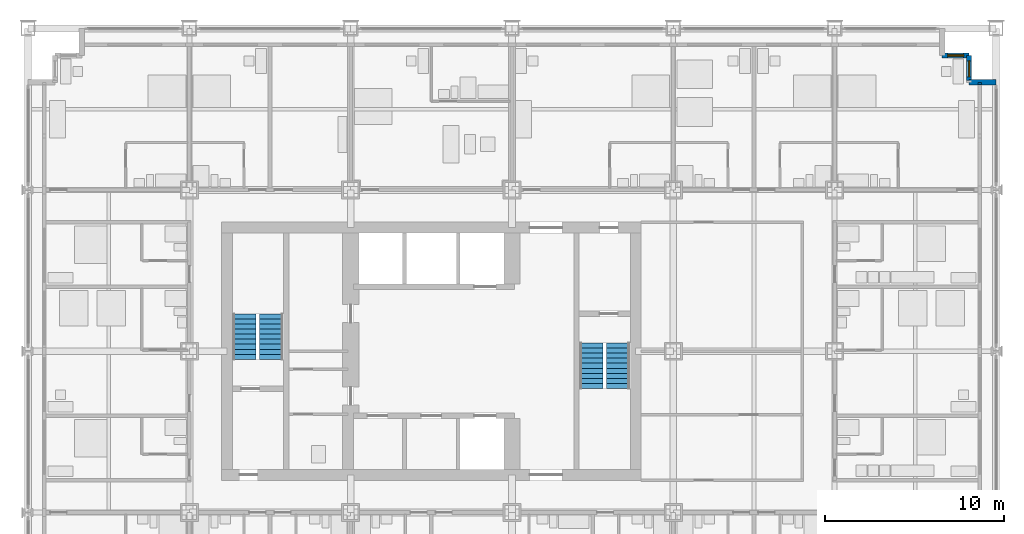
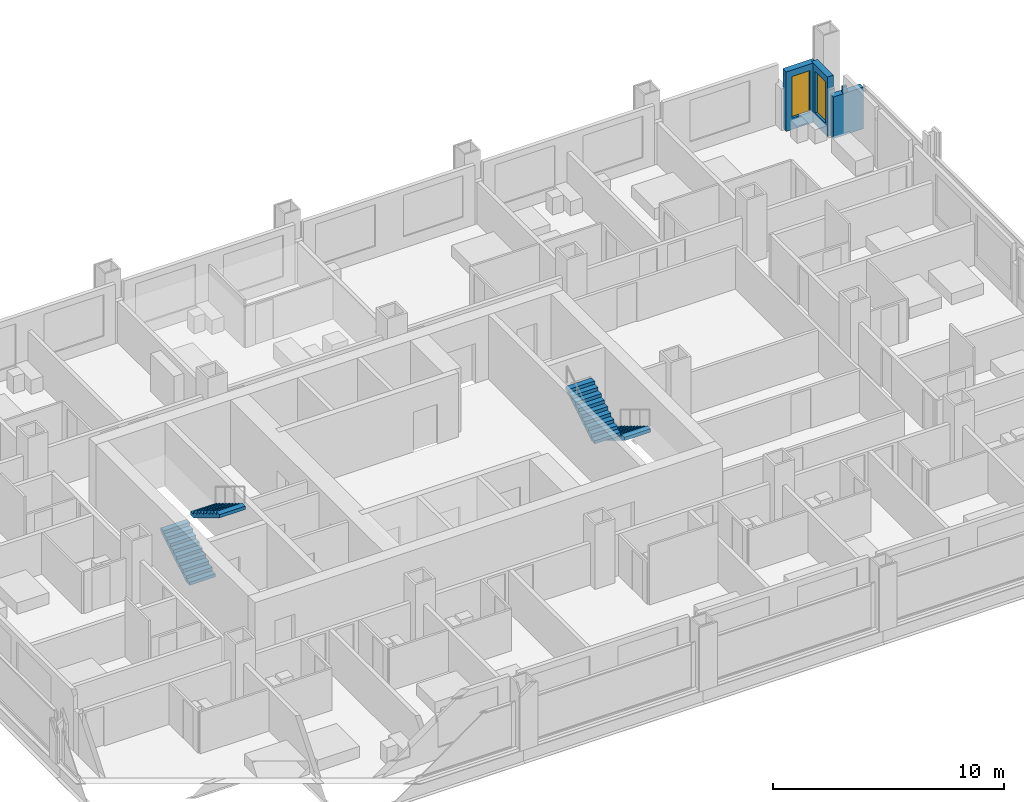
# One storey, part 16 of 19: 4 stair flights, 4 walls, 2 windows, 2 openings, 2 elements without a shape of their own.
"""IFC4 building model written with IfcOpenShell, lengths in metres."""

from ifc_helpers import new_model, si_unit, direction, frame, frame_2d, origin, place, context, subcontext, project, spatial, polyline, rectangle, outline, extrude, material, layer, layer_set, type_object, element, fill, aggregate, save


model = new_model("IFC4")

# Units and contexts
model_context = context("Model", 3, precision=1e-05, world=origin(), true_north=direction((0.0, 1.0)))
body_context = subcontext(model_context, "Body", "Model", "MODEL_VIEW")
ifc_project = project(units=[si_unit("LENGTHUNIT", "METRE"), si_unit("AREAUNIT", "SQUARE_METRE"), si_unit("VOLUMEUNIT", "CUBIC_METRE"), si_unit("PLANEANGLEUNIT", "RADIAN"), si_unit("MASSUNIT", "GRAM", prefix="KILO")], contexts=[model_context])

# Site, building, storey
site_placement = place(None, origin())
site = spatial("IfcSite", under=ifc_project, at=site_placement, CompositionType="ELEMENT")
building_placement = place(site_placement, origin())
building = spatial("IfcBuilding", under=site, at=building_placement, Name="Loomwork Tower", CompositionType="ELEMENT")
storey_placement = place(building_placement, frame((0.0, 0.0, 85.800048828125)))
storey = spatial("IfcBuildingStorey", under=building, at=storey_placement, Name="L22", CompositionType="ELEMENT", Elevation=85.800048828125)

# Walls
ifc_material_1 = material(Name="Insulated steel stud wall with gypsum lining", Category="steel")
ifc_layer_1 = layer(ifc_material_1, 0.199951171875)
ifc_layer_set_1 = layer_set([ifc_layer_1], Name="Inner skin wall 200")
wall_type_1 = type_object("IfcWallType", Name="Inner skin wall 200", PredefinedType="SOLIDWALL", material=ifc_layer_set_1)
wall_1_placement = place(storey_placement, frame((53.10009765625, 32.8837890625, 0.0), z_axis=(0.0, 0.0, 1.0), x_axis=(0.0, 1.0, 0.0)))
element("IfcWall", 1, at=wall_1_placement, inside=storey, type_object=wall_type_1, Name="Inner skin wall E bay 13", PredefinedType="SOLIDWALL", context=body_context, shape_type="SweptSolid", body=[
    extrude(rectangle(XDim=0.1162109375, YDim=0.199951171875, at=frame_2d((0.05810546875, 0.0))), origin(), (0.0, 0.0, 1.0), 2.5419921875),
])
ifc_material_2 = material(Name="Limestone on concrete masonry", Category="masonry")
ifc_layer_2 = layer(ifc_material_2, 0.300048828125)
ifc_layer_set_2 = layer_set([ifc_layer_2], Name="Limestone corner wall 300")
wall_type_2 = type_object("IfcWallType", Name="Limestone corner wall 300", PredefinedType="SOLIDWALL", material=ifc_layer_set_2)
wall_2_placement = place(storey_placement, frame((54.0, 33.0, 0.0), z_axis=(0.0, 0.0, 1.0), x_axis=(-1.0, 0.0, 0.0)))
element("IfcWall", 2, at=wall_2_placement, inside=storey, type_object=wall_type_2, Name="Stone corner wall NE 1", PredefinedType="SOLIDWALL", context=body_context, shape_type="SweptSolid", body=[
    extrude(rectangle(XDim=1.5, YDim=0.300048828125, at=frame_2d((0.75, 0.0))), origin(), (0.0, 0.0, 1.0), 2.201904296875),
])

# Wall, opening, window
wall_3_placement = place(storey_placement, frame((52.5, 34.5, 0.0), z_axis=(0.0, 0.0, 1.0), x_axis=(-1.0, 0.0, 0.0)))
wall_3 = element("IfcWall", 3, at=wall_3_placement, inside=storey, type_object=wall_type_2, Name="Stone corner wall NE 3", PredefinedType="SOLIDWALL", context=body_context, shape_type="SweptSolid", body=[
    extrude(rectangle(XDim=1.5, YDim=0.300048828125, at=frame_2d((0.75, 0.0))), origin(), (0.0, 0.0, 1.0), 3.14990234375),
])
opening_1_placement = place(wall_3_placement, frame((0.300048828125, 0.0, 0.60009765625)))
opening_1 = element("IfcOpeningElement", 4, at=opening_1_placement, cuts=wall_3, Name="Opening CH2", PredefinedType="OPENING", context=body_context, shape_type="SweptSolid", body=[
    extrude(rectangle(XDim=0.89990234375, YDim=2.199951171875, at=frame_2d((0.449951171875, 1.10009765625))), frame((0.0, 0.159912109375, 0.0), z_axis=(0.0, -1.0, 0.0), x_axis=(1.0, 0.0, 0.0)), (0.0, 0.0, 1.0), 0.320068359375),
])
ifc_material_3 = material(Name="Aluminium frame with clear insulated glass", Category="aluminium")
window_type = type_object("IfcWindowType", Name="Corner window 900", PartitioningType="SINGLE_PANEL", PredefinedType="WINDOW", material=ifc_material_3)
window_1_placement = place(opening_1_placement, origin())
window_1 = element("IfcWindow", 5, at=window_1_placement, inside=storey, type_object=window_type, Name="Corner window NE", OverallHeight=2.199951171875, OverallWidth=0.89990234375, PartitioningType="SINGLE_PANEL", PredefinedType="WINDOW", context=body_context, shape_type="SweptSolid", body=[
    extrude(rectangle(XDim=0.89990234375, YDim=2.199951171875, at=frame_2d((0.449951171875, 1.10009765625))), frame((0.0, 0.030029296875, 0.0), z_axis=(0.0, -1.0, 0.0), x_axis=(1.0, 0.0, 0.0)), (0.0, 0.0, 1.0), 0.06005859375),
])
fill(opening_1, window_1)

wall_4_placement = place(storey_placement, frame((52.5, 33.1162109375, 0.0), z_axis=(0.0, 0.0, 1.0), x_axis=(0.0, 1.0, 0.0)))
wall_4 = element("IfcWall", 6, at=wall_4_placement, inside=storey, type_object=wall_type_2, Name="Stone corner wall NE 2 bay 2", PredefinedType="SOLIDWALL", context=body_context, shape_type="SweptSolid", body=[
    extrude(rectangle(XDim=1.3837890625, YDim=0.300048828125, at=frame_2d((0.69189453125, 0.0))), origin(), (0.0, 0.0, 1.0), 3.14990234375),
])
opening_2_placement = place(wall_4_placement, frame((0.183837890625, 0.0, 0.60009765625)))
opening_2 = element("IfcOpeningElement", 7, at=opening_2_placement, cuts=wall_4, Name="Opening CH2", PredefinedType="OPENING", context=body_context, shape_type="SweptSolid", body=[
    extrude(rectangle(XDim=0.89990234375, YDim=2.199951171875, at=frame_2d((0.449951171875, 1.10009765625))), frame((0.0, 0.159912109375, 0.0), z_axis=(0.0, -1.0, 0.0), x_axis=(1.0, 0.0, 0.0)), (0.0, 0.0, 1.0), 0.320068359375),
])
window_2_placement = place(opening_2_placement, origin())
window_2 = element("IfcWindow", 8, at=window_2_placement, inside=storey, type_object=window_type, Name="Corner window NE", OverallHeight=2.199951171875, OverallWidth=0.89990234375, PartitioningType="SINGLE_PANEL", PredefinedType="WINDOW", context=body_context, shape_type="SweptSolid", body=[
    extrude(rectangle(XDim=0.89990234375, YDim=2.199951171875, at=frame_2d((0.449951171875, 1.10009765625))), frame((0.0, 0.030029296875, 0.0), z_axis=(0.0, -1.0, 0.0), x_axis=(1.0, 0.0, 0.0)), (0.0, 0.0, 1.0), 0.06005859375),
])
fill(opening_2, window_2)

# Stair, stair flights
ifc_material_4 = material(Name="Concrete 5000 psi (34 MPa) precast stair", Category="concrete")
stair_type_1 = type_object("IfcStairType", Name="Stair ST-A 20 risers 2850 wide", PredefinedType="HALF_TURN_STAIR", material=ifc_material_4)
stair_1_placement = place(storey_placement, origin())
stair_1 = element("IfcStair", 9, at=stair_1_placement, inside=storey, type_object=stair_type_1, Name="Stair A L22", PredefinedType="HALF_TURN_STAIR")
ifc_material_5 = material(Name="Concrete 5000 psi (34 MPa) precast stair", Category="concrete")
stair_flight_type_1 = type_object("IfcStairFlightType", Name="Stair flight ST-A 10 risers 1300 wide", PredefinedType="STRAIGHT", material=ifc_material_5)
stair_flight_1_placement = place(storey_placement, frame((12.074951171875, 17.550048828125, 0.0), z_axis=(0.0, 0.0, 1.0), x_axis=(0.0, 1.0, 0.0)))
stair_flight_1 = element("IfcStairFlight", 10, at=stair_flight_1_placement, type_object=stair_flight_type_1, Name="ST-A flight 1", NumberOfRisers=10, NumberOfTreads=9, PredefinedType="STRAIGHT", RiserHeight=0.17, TreadLength=0.28, context=body_context, shape_type="SweptSolid", body=[
    extrude(outline(polyline([(0.0, 0.0), (0.0, 0.169921875), (0.280029296875, 0.169921875), (0.280029296875, 0.340087890625), (0.56005859375, 0.340087890625), (0.56005859375, 0.510009765625), (0.840087890625, 0.510009765625), (0.840087890625, 0.679931640625), (1.1201171875, 0.679931640625), (1.1201171875, 0.85009765625), (1.39990234375, 0.85009765625), (1.39990234375, 1.02001953125), (1.679931640625, 1.02001953125), (1.679931640625, 1.18994140625), (1.9599609375, 1.18994140625), (1.9599609375, 1.360107421875), (2.239990234375, 1.360107421875), (2.239990234375, 1.530029296875), (2.52001953125, 1.530029296875), (2.52001953125, 1.699951171875), (2.52001953125, 1.354736328125), (0.288818359375, 0.0), (0.0, 0.0)])), frame((0.0, 0.64990234375, 0.0), z_axis=(0.0, -1.0, 0.0), x_axis=(1.0, 0.0, 0.0)), (0.0, 0.0, 1.0), 1.300048828125),
])
stair_flight_2_placement = place(storey_placement, frame((13.574951171875, 20.070068359375, 1.699951171875), z_axis=(0.0, 0.0, 1.0), x_axis=(0.0, -1.0, 0.0)))
stair_flight_2 = element("IfcStairFlight", 11, at=stair_flight_2_placement, type_object=stair_flight_type_1, Name="ST-A flight 2", NumberOfRisers=10, NumberOfTreads=9, PredefinedType="STRAIGHT", RiserHeight=0.17, TreadLength=0.28, context=body_context, shape_type="SweptSolid", body=[
    extrude(outline(polyline([(0.0, 0.0), (0.0, 0.169921875), (0.280029296875, 0.169921875), (0.280029296875, 0.340087890625), (0.56005859375, 0.340087890625), (0.56005859375, 0.510009765625), (0.840087890625, 0.510009765625), (0.840087890625, 0.679931640625), (1.1201171875, 0.679931640625), (1.1201171875, 0.85009765625), (1.39990234375, 0.85009765625), (1.39990234375, 1.02001953125), (1.679931640625, 1.02001953125), (1.679931640625, 1.18994140625), (1.9599609375, 1.18994140625), (1.9599609375, 1.360107421875), (2.239990234375, 1.360107421875), (2.239990234375, 1.530029296875), (2.52001953125, 1.530029296875), (2.52001953125, 1.699951171875), (2.52001953125, 1.354736328125), (0.288818359375, 0.0), (0.0, 0.0)])), frame((0.0, 0.64990234375, 0.0), z_axis=(0.0, -1.0, 0.0), x_axis=(1.0, 0.0, 0.0)), (0.0, 0.0, 1.0), 1.300048828125),
])
aggregate(stair_1, [stair_flight_1, stair_flight_2])

ifc_material_6 = material(Name="Concrete 5000 psi (34 MPa) precast stair", Category="concrete")
stair_type_2 = type_object("IfcStairType", Name="Stair ST-B 20 risers 2850 wide", PredefinedType="HALF_TURN_STAIR", material=ifc_material_6)
stair_2_placement = place(storey_placement, origin())
stair_2 = element("IfcStair", 12, at=stair_2_placement, inside=storey, type_object=stair_type_2, Name="Stair B L22", PredefinedType="HALF_TURN_STAIR")
ifc_material_7 = material(Name="Concrete 5000 psi (34 MPa) precast stair", Category="concrete")
stair_flight_type_2 = type_object("IfcStairFlightType", Name="Stair flight ST-B 10 risers 1300 wide", PredefinedType="STRAIGHT", material=ifc_material_7)
stair_flight_3_placement = place(storey_placement, frame((32.925048828125, 18.449951171875, 0.0), z_axis=(0.0, 0.0, 1.0), x_axis=(0.0, -1.0, 0.0)))
stair_flight_3 = element("IfcStairFlight", 13, at=stair_flight_3_placement, type_object=stair_flight_type_2, Name="ST-B flight 1", NumberOfRisers=10, NumberOfTreads=9, PredefinedType="STRAIGHT", RiserHeight=0.17, TreadLength=0.28, context=body_context, shape_type="SweptSolid", body=[
    extrude(outline(polyline([(0.0, 0.0), (0.0, 0.169921875), (0.280029296875, 0.169921875), (0.280029296875, 0.340087890625), (0.56005859375, 0.340087890625), (0.56005859375, 0.510009765625), (0.840087890625, 0.510009765625), (0.840087890625, 0.679931640625), (1.1201171875, 0.679931640625), (1.1201171875, 0.85009765625), (1.39990234375, 0.85009765625), (1.39990234375, 1.02001953125), (1.679931640625, 1.02001953125), (1.679931640625, 1.18994140625), (1.9599609375, 1.18994140625), (1.9599609375, 1.360107421875), (2.239990234375, 1.360107421875), (2.239990234375, 1.530029296875), (2.52001953125, 1.530029296875), (2.52001953125, 1.699951171875), (2.52001953125, 1.354736328125), (0.288818359375, 0.0), (0.0, 0.0)])), frame((0.0, 0.64990234375, 0.0), z_axis=(0.0, -1.0, 0.0), x_axis=(1.0, 0.0, 0.0)), (0.0, 0.0, 1.0), 1.300048828125),
])
stair_flight_4_placement = place(storey_placement, frame((31.425048828125, 15.929931640625, 1.699951171875), z_axis=(0.0, 0.0, 1.0), x_axis=(0.0, 1.0, 0.0)))
stair_flight_4 = element("IfcStairFlight", 14, at=stair_flight_4_placement, type_object=stair_flight_type_2, Name="ST-B flight 2", NumberOfRisers=10, NumberOfTreads=9, PredefinedType="STRAIGHT", RiserHeight=0.17, TreadLength=0.28, context=body_context, shape_type="SweptSolid", body=[
    extrude(outline(polyline([(0.0, 0.0), (0.0, 0.169921875), (0.280029296875, 0.169921875), (0.280029296875, 0.340087890625), (0.56005859375, 0.340087890625), (0.56005859375, 0.510009765625), (0.840087890625, 0.510009765625), (0.840087890625, 0.679931640625), (1.1201171875, 0.679931640625), (1.1201171875, 0.85009765625), (1.39990234375, 0.85009765625), (1.39990234375, 1.02001953125), (1.679931640625, 1.02001953125), (1.679931640625, 1.18994140625), (1.9599609375, 1.18994140625), (1.9599609375, 1.360107421875), (2.239990234375, 1.360107421875), (2.239990234375, 1.530029296875), (2.52001953125, 1.530029296875), (2.52001953125, 1.699951171875), (2.52001953125, 1.354736328125), (0.288818359375, 0.0), (0.0, 0.0)])), frame((0.0, 0.64990234375, 0.0), z_axis=(0.0, -1.0, 0.0), x_axis=(1.0, 0.0, 0.0)), (0.0, 0.0, 1.0), 1.300048828125),
])
aggregate(stair_2, [stair_flight_3, stair_flight_4])

save(model, "model.ifc")
